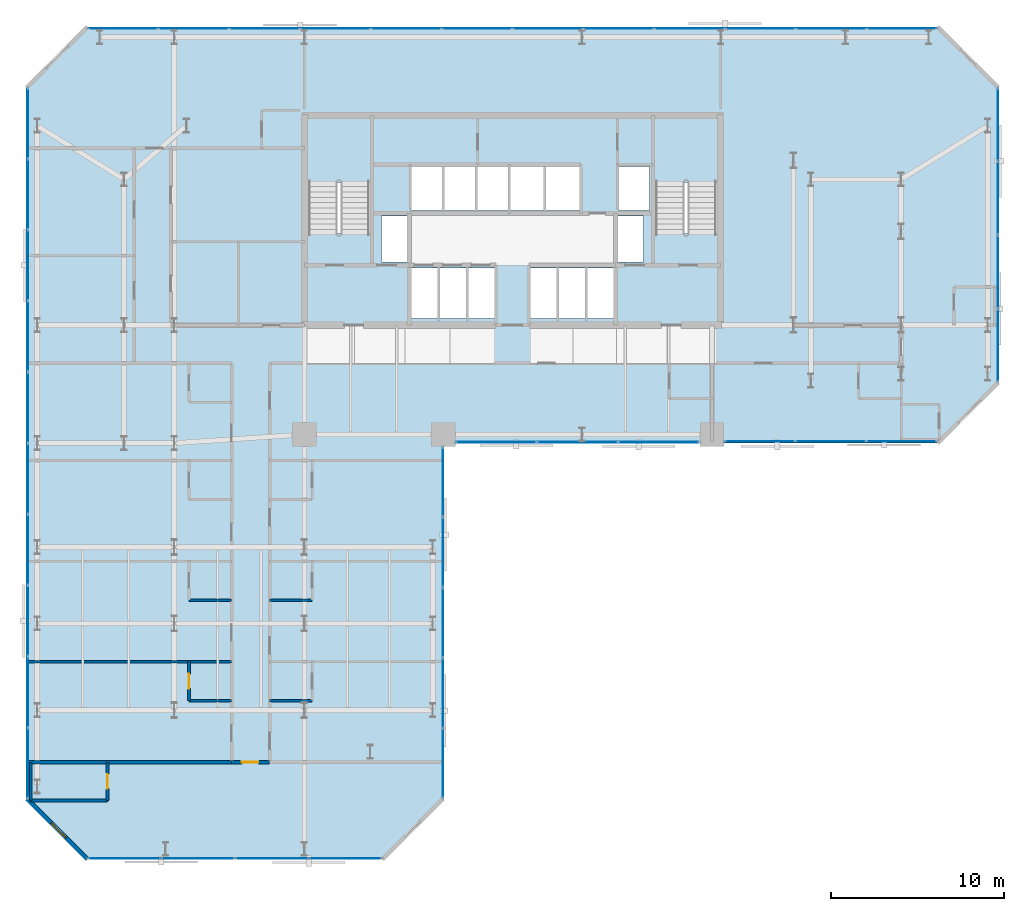
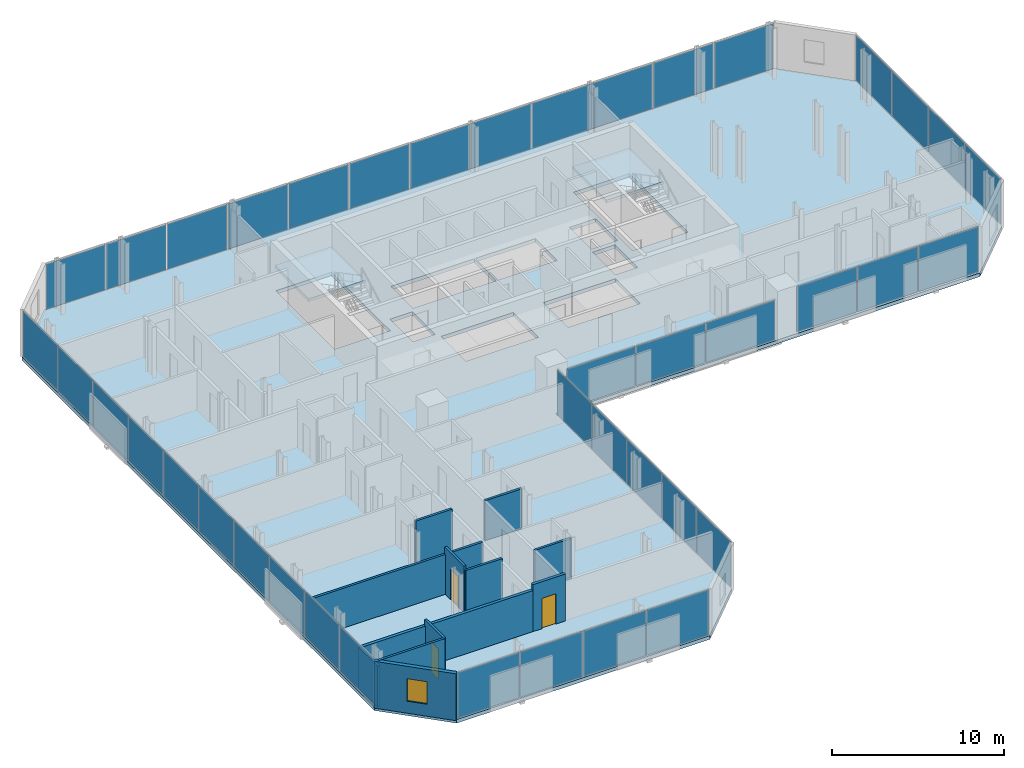
# One storey, part 27 of 32: 41 plates, 12 walls, 3 doors, 3 slabs, 1 window, 4 openings, 9 elements without a shape of their own.
"""IFC4 building model written with IfcOpenShell, lengths in metres."""

from ifc_helpers import new_model, si_unit, direction, frame, frame_2d, origin, origin_2d, place, context, subcontext, project, spatial, polyline, rectangle, outline, extrude, material, layer, layer_set, type_object, element, fill, aggregate, save


model = new_model("IFC4")

# Units and contexts
model_context = context("Model", 3, precision=1e-05, world=origin(), true_north=direction((0.0, 1.0)))
body_context = subcontext(model_context, "Body", "Model", "MODEL_VIEW")
ifc_project = project(units=[si_unit("LENGTHUNIT", "METRE"), si_unit("AREAUNIT", "SQUARE_METRE"), si_unit("VOLUMEUNIT", "CUBIC_METRE"), si_unit("PLANEANGLEUNIT", "RADIAN"), si_unit("MASSUNIT", "GRAM", prefix="KILO")], contexts=[model_context])

# Site, building, storey
site_placement = place(None, origin())
site = spatial("IfcSite", under=ifc_project, at=site_placement, CompositionType="ELEMENT")
building_placement = place(site_placement, origin())
building = spatial("IfcBuilding", under=site, at=building_placement, Name="Catumbela Crestline Tower", CompositionType="ELEMENT")
storey_placement = place(building_placement, frame((0.0, 0.0, 69.0)))
storey = spatial("IfcBuildingStorey", under=building, at=storey_placement, Name="L17", CompositionType="ELEMENT", Elevation=69.0)

# Curtain wall, plates
ifc_material_1 = material(Name="Aluminium alloy AW-6060-T66", Category="aluminium")
ifc_layer_1 = layer(ifc_material_1, 0.18, Name="Aluminium alloy AW-6060-T66")
ifc_layer_set_1 = layer_set([ifc_layer_1], Name="Aluminium alloy AW-6060-T66")
curtain_wall_type = type_object("IfcCurtainWallType", Name="CWU-Z1", PredefinedType="USERDEFINED", material=ifc_layer_set_1)
curtain_wall_1_placement = place(storey_placement, origin())
curtain_wall_1 = element("IfcCurtainWall", 1, at=curtain_wall_1_placement, inside=storey, type_object=curtain_wall_type, Name="L17 Unitised Curtain Wall CW-L17-E0S1", ObjectType="UNITISED", PredefinedType="USERDEFINED")
ifc_material_2 = material(Name="Low-E laminated solar-control double glazing", Category="glass")
ifc_layer_2 = layer(ifc_material_2, 0.034, Name="Low-E laminated solar-control double glazing")
ifc_layer_set_2 = layer_set([ifc_layer_2], Name="Low-E laminated solar-control double glazing")
plate_type = type_object("IfcPlateType", Name="PNL-GLZ-Z1", PredefinedType="CURTAIN_PANEL", material=ifc_layer_set_2)
plate_1_placement = place(storey_placement, frame((5.6412, 0.05, 0.06), z_axis=(0.0, 0.0, 1.0), x_axis=(1.0, 0.0, 0.0)))
plate_1 = element("IfcPlate", 2, at=plate_1_placement, type_object=plate_type, Name="CWU-Z1 panel 1.1", PredefinedType="CURTAIN_PANEL", context=body_context, shape_type="SweptSolid", body=[
    extrude(rectangle(XDim=4.1525, YDim=0.034, at=origin_2d()), origin(), (0.0, 0.0, 1.0), 3.21),
])
plate_2_placement = place(storey_placement, frame((9.875, 0.05, 0.06), z_axis=(0.0, 0.0, 1.0), x_axis=(1.0, 0.0, 0.0)))
plate_2 = element("IfcPlate", 3, at=plate_2_placement, type_object=plate_type, Name="CWU-Z1 panel 2.1", PredefinedType="CURTAIN_PANEL", context=body_context, shape_type="SweptSolid", body=[
    extrude(rectangle(XDim=4.185, YDim=0.034, at=origin_2d()), origin(), (0.0, 0.0, 1.0), 3.21),
])
plate_3_placement = place(storey_placement, frame((14.125, 0.05, 0.06), z_axis=(0.0, 0.0, 1.0), x_axis=(1.0, 0.0, 0.0)))
plate_3 = element("IfcPlate", 4, at=plate_3_placement, type_object=plate_type, Name="CWU-Z1 panel 3.1", PredefinedType="CURTAIN_PANEL", context=body_context, shape_type="SweptSolid", body=[
    extrude(rectangle(XDim=4.185, YDim=0.034, at=origin_2d()), origin(), (0.0, 0.0, 1.0), 3.21),
])
plate_4_placement = place(storey_placement, frame((18.3588, 0.05, 0.06), z_axis=(0.0, 0.0, 1.0), x_axis=(1.0, 0.0, 0.0)))
plate_4 = element("IfcPlate", 5, at=plate_4_placement, type_object=plate_type, Name="CWU-Z1 panel 4.1", PredefinedType="CURTAIN_PANEL", context=body_context, shape_type="SweptSolid", body=[
    extrude(rectangle(XDim=4.1525, YDim=0.034, at=origin_2d()), origin(), (0.0, 0.0, 1.0), 3.21),
])
aggregate(curtain_wall_1, [plate_1, plate_2, plate_3, plate_4])

curtain_wall_2_placement = place(storey_placement, origin())
curtain_wall_2 = element("IfcCurtainWall", 6, at=curtain_wall_2_placement, inside=storey, type_object=curtain_wall_type, Name="L17 Unitised Curtain Wall CW-L17-E2S1", ObjectType="UNITISED", PredefinedType="USERDEFINED")
plate_5_placement = place(storey_placement, frame((24.0, 5.5462, 0.06), z_axis=(0.0, 0.0, 1.0), x_axis=(0.0, 1.0, 0.0)))
plate_5 = element("IfcPlate", 7, at=plate_5_placement, type_object=plate_type, Name="CWU-Z1 panel 1.1", PredefinedType="CURTAIN_PANEL", context=body_context, shape_type="SweptSolid", body=[
    extrude(rectangle(XDim=3.9625, YDim=0.034, at=origin_2d()), origin(), (0.0, 0.0, 1.0), 3.21),
])
plate_6_placement = place(storey_placement, frame((24.0, 9.59, 0.06), z_axis=(0.0, 0.0, 1.0), x_axis=(0.0, 1.0, 0.0)))
plate_6 = element("IfcPlate", 8, at=plate_6_placement, type_object=plate_type, Name="CWU-Z1 panel 2.1", PredefinedType="CURTAIN_PANEL", context=body_context, shape_type="SweptSolid", body=[
    extrude(rectangle(XDim=3.995, YDim=0.034, at=origin_2d()), origin(), (0.0, 0.0, 1.0), 3.21),
])
plate_7_placement = place(storey_placement, frame((24.0, 13.65, 0.06), z_axis=(0.0, 0.0, 1.0), x_axis=(0.0, 1.0, 0.0)))
plate_7 = element("IfcPlate", 9, at=plate_7_placement, type_object=plate_type, Name="CWU-Z1 panel 3.1", PredefinedType="CURTAIN_PANEL", context=body_context, shape_type="SweptSolid", body=[
    extrude(rectangle(XDim=3.995, YDim=0.034, at=origin_2d()), origin(), (0.0, 0.0, 1.0), 3.21),
])
plate_8_placement = place(storey_placement, frame((24.0, 17.71, 0.06), z_axis=(0.0, 0.0, 1.0), x_axis=(0.0, 1.0, 0.0)))
plate_8 = element("IfcPlate", 10, at=plate_8_placement, type_object=plate_type, Name="CWU-Z1 panel 4.1", PredefinedType="CURTAIN_PANEL", context=body_context, shape_type="SweptSolid", body=[
    extrude(rectangle(XDim=3.995, YDim=0.034, at=origin_2d()), origin(), (0.0, 0.0, 1.0), 3.21),
])
plate_9_placement = place(storey_placement, frame((24.0, 21.7538, 0.06), z_axis=(0.0, 0.0, 1.0), x_axis=(0.0, 1.0, 0.0)))
plate_9 = element("IfcPlate", 11, at=plate_9_placement, type_object=plate_type, Name="CWU-Z1 panel 5.1", PredefinedType="CURTAIN_PANEL", context=body_context, shape_type="SweptSolid", body=[
    extrude(rectangle(XDim=3.9625, YDim=0.034, at=origin_2d()), origin(), (0.0, 0.0, 1.0), 3.21),
])
aggregate(curtain_wall_2, [plate_5, plate_6, plate_7, plate_8, plate_9])

curtain_wall_3_placement = place(storey_placement, origin())
curtain_wall_3 = element("IfcCurtainWall", 12, at=curtain_wall_3_placement, inside=storey, type_object=curtain_wall_type, Name="L17 Unitised Curtain Wall CW-L17-E3S1", ObjectType="UNITISED", PredefinedType="USERDEFINED")
plate_10_placement = place(storey_placement, frame((27.0662, 24.05, 0.06), z_axis=(0.0, 0.0, 1.0), x_axis=(1.0, 0.0, 0.0)))
plate_10 = element("IfcPlate", 13, at=plate_10_placement, type_object=plate_type, Name="CWU-Z1 panel 1.1", PredefinedType="CURTAIN_PANEL", context=body_context, shape_type="SweptSolid", body=[
    extrude(rectangle(XDim=4.6025, YDim=0.034, at=origin_2d()), origin(), (0.0, 0.0, 1.0), 2.8),
])
plate_11_placement = place(storey_placement, frame((31.75, 24.05, 0.06), z_axis=(0.0, 0.0, 1.0), x_axis=(1.0, 0.0, 0.0)))
plate_11 = element("IfcPlate", 14, at=plate_11_placement, type_object=plate_type, Name="CWU-Z1 panel 2.1", PredefinedType="CURTAIN_PANEL", context=body_context, shape_type="SweptSolid", body=[
    extrude(rectangle(XDim=4.635, YDim=0.034, at=origin_2d()), origin(), (0.0, 0.0, 1.0), 2.8),
])
plate_12_placement = place(storey_placement, frame((36.4338, 24.05, 0.06), z_axis=(0.0, 0.0, 1.0), x_axis=(1.0, 0.0, 0.0)))
plate_12 = element("IfcPlate", 15, at=plate_12_placement, type_object=plate_type, Name="CWU-Z1 panel 3.1", PredefinedType="CURTAIN_PANEL", context=body_context, shape_type="SweptSolid", body=[
    extrude(rectangle(XDim=4.6025, YDim=0.034, at=origin_2d()), origin(), (0.0, 0.0, 1.0), 2.8),
])
aggregate(curtain_wall_3, [plate_10, plate_11, plate_12])

curtain_wall_4_placement = place(storey_placement, origin())
curtain_wall_4 = element("IfcCurtainWall", 16, at=curtain_wall_4_placement, inside=storey, type_object=curtain_wall_type, Name="L17 Unitised Curtain Wall CW-L17-E3S2", ObjectType="UNITISED", PredefinedType="USERDEFINED")
plate_13_placement = place(storey_placement, frame((42.2662, 24.1, 0.06), z_axis=(0.0, 0.0, 1.0), x_axis=(1.0, 0.0, 0.0)))
plate_13 = element("IfcPlate", 17, at=plate_13_placement, type_object=plate_type, Name="CWU-Z1 panel 1.1", PredefinedType="CURTAIN_PANEL", context=body_context, shape_type="SweptSolid", body=[
    extrude(rectangle(XDim=4.0025, YDim=0.034, at=origin_2d()), origin(), (0.0, 0.0, 1.0), 3.21),
])
plate_14_placement = place(storey_placement, frame((46.35, 24.1, 0.06), z_axis=(0.0, 0.0, 1.0), x_axis=(1.0, 0.0, 0.0)))
plate_14 = element("IfcPlate", 18, at=plate_14_placement, type_object=plate_type, Name="CWU-Z1 panel 2.1", PredefinedType="CURTAIN_PANEL", context=body_context, shape_type="SweptSolid", body=[
    extrude(rectangle(XDim=4.035, YDim=0.034, at=origin_2d()), origin(), (0.0, 0.0, 1.0), 3.21),
])
plate_15_placement = place(storey_placement, frame((50.4338, 24.1, 0.06), z_axis=(0.0, 0.0, 1.0), x_axis=(1.0, 0.0, 0.0)))
plate_15 = element("IfcPlate", 19, at=plate_15_placement, type_object=plate_type, Name="CWU-Z1 panel 3.1", PredefinedType="CURTAIN_PANEL", context=body_context, shape_type="SweptSolid", body=[
    extrude(rectangle(XDim=4.0025, YDim=0.034, at=origin_2d()), origin(), (0.0, 0.0, 1.0), 3.21),
])
aggregate(curtain_wall_4, [plate_13, plate_14, plate_15])

curtain_wall_5_placement = place(storey_placement, origin())
curtain_wall_5 = element("IfcCurtainWall", 20, at=curtain_wall_5_placement, inside=storey, type_object=curtain_wall_type, Name="L17 Unitised Curtain Wall CW-L17-E5S1", ObjectType="UNITISED", PredefinedType="USERDEFINED")
plate_16_placement = place(storey_placement, frame((56.0, 29.6412, 0.06), z_axis=(0.0, 0.0, 1.0), x_axis=(0.0, 1.0, 0.0)))
plate_16 = element("IfcPlate", 21, at=plate_16_placement, type_object=plate_type, Name="CWU-Z1 panel 1.1", PredefinedType="CURTAIN_PANEL", context=body_context, shape_type="SweptSolid", body=[
    extrude(rectangle(XDim=4.1525, YDim=0.034, at=origin_2d()), origin(), (0.0, 0.0, 1.0), 3.21),
])
plate_17_placement = place(storey_placement, frame((56.0, 33.875, 0.06), z_axis=(0.0, 0.0, 1.0), x_axis=(0.0, 1.0, 0.0)))
plate_17 = element("IfcPlate", 22, at=plate_17_placement, type_object=plate_type, Name="CWU-Z1 panel 2.1", PredefinedType="CURTAIN_PANEL", context=body_context, shape_type="SweptSolid", body=[
    extrude(rectangle(XDim=4.185, YDim=0.034, at=origin_2d()), origin(), (0.0, 0.0, 1.0), 3.21),
])
plate_18_placement = place(storey_placement, frame((56.0, 38.125, 0.06), z_axis=(0.0, 0.0, 1.0), x_axis=(0.0, 1.0, 0.0)))
plate_18 = element("IfcPlate", 23, at=plate_18_placement, type_object=plate_type, Name="CWU-Z1 panel 3.1", PredefinedType="CURTAIN_PANEL", context=body_context, shape_type="SweptSolid", body=[
    extrude(rectangle(XDim=4.185, YDim=0.034, at=origin_2d()), origin(), (0.0, 0.0, 1.0), 3.21),
])
plate_19_placement = place(storey_placement, frame((56.0, 42.3588, 0.06), z_axis=(0.0, 0.0, 1.0), x_axis=(0.0, 1.0, 0.0)))
plate_19 = element("IfcPlate", 24, at=plate_19_placement, type_object=plate_type, Name="CWU-Z1 panel 4.1", PredefinedType="CURTAIN_PANEL", context=body_context, shape_type="SweptSolid", body=[
    extrude(rectangle(XDim=4.1525, YDim=0.034, at=origin_2d()), origin(), (0.0, 0.0, 1.0), 3.21),
])
aggregate(curtain_wall_5, [plate_16, plate_17, plate_18, plate_19])

curtain_wall_6_placement = place(storey_placement, origin())
curtain_wall_6 = element("IfcCurtainWall", 25, at=curtain_wall_6_placement, inside=storey, type_object=curtain_wall_type, Name="L17 Unitised Curtain Wall CW-L17-E7S1", ObjectType="UNITISED", PredefinedType="USERDEFINED")
plate_20_placement = place(storey_placement, frame((50.4421, 47.9, 0.06), z_axis=(0.0, 0.0, 1.0), x_axis=(-1.0, 0.0, 0.0)))
plate_20 = element("IfcPlate", 26, at=plate_20_placement, type_object=plate_type, Name="CWU-Z1 panel 1.1", PredefinedType="CURTAIN_PANEL", context=body_context, shape_type="SweptSolid", body=[
    extrude(rectangle(XDim=3.9858, YDim=0.034, at=origin_2d()), origin(), (0.0, 0.0, 1.0), 3.21),
])
plate_21_placement = place(storey_placement, frame((46.375, 47.9, 0.06), z_axis=(0.0, 0.0, 1.0), x_axis=(-1.0, 0.0, 0.0)))
plate_21 = element("IfcPlate", 27, at=plate_21_placement, type_object=plate_type, Name="CWU-Z1 panel 2.1", PredefinedType="CURTAIN_PANEL", context=body_context, shape_type="SweptSolid", body=[
    extrude(rectangle(XDim=4.0183, YDim=0.034, at=origin_2d()), origin(), (0.0, 0.0, 1.0), 3.21),
])
plate_22_placement = place(storey_placement, frame((42.2917, 47.9, 0.06), z_axis=(0.0, 0.0, 1.0), x_axis=(-1.0, 0.0, 0.0)))
plate_22 = element("IfcPlate", 28, at=plate_22_placement, type_object=plate_type, Name="CWU-Z1 panel 3.1", PredefinedType="CURTAIN_PANEL", context=body_context, shape_type="SweptSolid", body=[
    extrude(rectangle(XDim=4.0183, YDim=0.034, at=origin_2d()), origin(), (0.0, 0.0, 1.0), 3.21),
])
plate_23_placement = place(storey_placement, frame((38.2083, 47.9, 0.06), z_axis=(0.0, 0.0, 1.0), x_axis=(-1.0, 0.0, 0.0)))
plate_23 = element("IfcPlate", 29, at=plate_23_placement, type_object=plate_type, Name="CWU-Z1 panel 4.1", PredefinedType="CURTAIN_PANEL", context=body_context, shape_type="SweptSolid", body=[
    extrude(rectangle(XDim=4.0183, YDim=0.034, at=origin_2d()), origin(), (0.0, 0.0, 1.0), 3.21),
])
plate_24_placement = place(storey_placement, frame((34.125, 47.9, 0.06), z_axis=(0.0, 0.0, 1.0), x_axis=(-1.0, 0.0, 0.0)))
plate_24 = element("IfcPlate", 30, at=plate_24_placement, type_object=plate_type, Name="CWU-Z1 panel 5.1", PredefinedType="CURTAIN_PANEL", context=body_context, shape_type="SweptSolid", body=[
    extrude(rectangle(XDim=4.0183, YDim=0.034, at=origin_2d()), origin(), (0.0, 0.0, 1.0), 3.21),
])
plate_25_placement = place(storey_placement, frame((30.0417, 47.9, 0.06), z_axis=(0.0, 0.0, 1.0), x_axis=(-1.0, 0.0, 0.0)))
plate_25 = element("IfcPlate", 31, at=plate_25_placement, type_object=plate_type, Name="CWU-Z1 panel 6.1", PredefinedType="CURTAIN_PANEL", context=body_context, shape_type="SweptSolid", body=[
    extrude(rectangle(XDim=4.0183, YDim=0.034, at=origin_2d()), origin(), (0.0, 0.0, 1.0), 3.21),
])
plate_26_placement = place(storey_placement, frame((25.9583, 47.9, 0.06), z_axis=(0.0, 0.0, 1.0), x_axis=(-1.0, 0.0, 0.0)))
plate_26 = element("IfcPlate", 32, at=plate_26_placement, type_object=plate_type, Name="CWU-Z1 panel 7.1", PredefinedType="CURTAIN_PANEL", context=body_context, shape_type="SweptSolid", body=[
    extrude(rectangle(XDim=4.0183, YDim=0.034, at=origin_2d()), origin(), (0.0, 0.0, 1.0), 3.21),
])
plate_27_placement = place(storey_placement, frame((21.875, 47.9, 0.06), z_axis=(0.0, 0.0, 1.0), x_axis=(-1.0, 0.0, 0.0)))
plate_27 = element("IfcPlate", 33, at=plate_27_placement, type_object=plate_type, Name="CWU-Z1 panel 8.1", PredefinedType="CURTAIN_PANEL", context=body_context, shape_type="SweptSolid", body=[
    extrude(rectangle(XDim=4.0183, YDim=0.034, at=origin_2d()), origin(), (0.0, 0.0, 1.0), 3.21),
])
plate_28_placement = place(storey_placement, frame((17.7917, 47.9, 0.06), z_axis=(0.0, 0.0, 1.0), x_axis=(-1.0, 0.0, 0.0)))
plate_28 = element("IfcPlate", 34, at=plate_28_placement, type_object=plate_type, Name="CWU-Z1 panel 9.1", PredefinedType="CURTAIN_PANEL", context=body_context, shape_type="SweptSolid", body=[
    extrude(rectangle(XDim=4.0183, YDim=0.034, at=origin_2d()), origin(), (0.0, 0.0, 1.0), 3.21),
])
plate_29_placement = place(storey_placement, frame((13.7083, 47.9, 0.06), z_axis=(0.0, 0.0, 1.0), x_axis=(-1.0, 0.0, 0.0)))
plate_29 = element("IfcPlate", 35, at=plate_29_placement, type_object=plate_type, Name="CWU-Z1 panel 10.1", PredefinedType="CURTAIN_PANEL", context=body_context, shape_type="SweptSolid", body=[
    extrude(rectangle(XDim=4.0183, YDim=0.034, at=origin_2d()), origin(), (0.0, 0.0, 1.0), 3.21),
])
plate_30_placement = place(storey_placement, frame((9.625, 47.9, 0.06), z_axis=(0.0, 0.0, 1.0), x_axis=(-1.0, 0.0, 0.0)))
plate_30 = element("IfcPlate", 36, at=plate_30_placement, type_object=plate_type, Name="CWU-Z1 panel 11.1", PredefinedType="CURTAIN_PANEL", context=body_context, shape_type="SweptSolid", body=[
    extrude(rectangle(XDim=4.0183, YDim=0.034, at=origin_2d()), origin(), (0.0, 0.0, 1.0), 3.21),
])
plate_31_placement = place(storey_placement, frame((5.5579, 47.9, 0.06), z_axis=(0.0, 0.0, 1.0), x_axis=(-1.0, 0.0, 0.0)))
plate_31 = element("IfcPlate", 37, at=plate_31_placement, type_object=plate_type, Name="CWU-Z1 panel 12.1", PredefinedType="CURTAIN_PANEL", context=body_context, shape_type="SweptSolid", body=[
    extrude(rectangle(XDim=3.9858, YDim=0.034, at=origin_2d()), origin(), (0.0, 0.0, 1.0), 3.21),
])
aggregate(curtain_wall_6, [plate_20, plate_21, plate_22, plate_23, plate_24, plate_25, plate_26, plate_27, plate_28, plate_29, plate_30, plate_31])

curtain_wall_7_placement = place(storey_placement, origin())
curtain_wall_7 = element("IfcCurtainWall", 38, at=curtain_wall_7_placement, inside=storey, type_object=curtain_wall_type, Name="L17 Unitised Curtain Wall CW-L17-E9S1", ObjectType="UNITISED", PredefinedType="USERDEFINED")
plate_32_placement = place(storey_placement, frame((0.05, 42.4338, 0.06), z_axis=(0.0, 0.0, 1.0), x_axis=(0.0, -1.0, 0.0)))
plate_32 = element("IfcPlate", 39, at=plate_32_placement, type_object=plate_type, Name="CWU-Z1 panel 1.1", PredefinedType="CURTAIN_PANEL", context=body_context, shape_type="SweptSolid", body=[
    extrude(rectangle(XDim=4.0025, YDim=0.034, at=origin_2d()), origin(), (0.0, 0.0, 1.0), 3.21),
])
plate_33_placement = place(storey_placement, frame((0.05, 38.35, 0.06), z_axis=(0.0, 0.0, 1.0), x_axis=(0.0, -1.0, 0.0)))
plate_33 = element("IfcPlate", 40, at=plate_33_placement, type_object=plate_type, Name="CWU-Z1 panel 2.1", PredefinedType="CURTAIN_PANEL", context=body_context, shape_type="SweptSolid", body=[
    extrude(rectangle(XDim=4.035, YDim=0.034, at=origin_2d()), origin(), (0.0, 0.0, 1.0), 3.21),
])
plate_34_placement = place(storey_placement, frame((0.05, 34.25, 0.06), z_axis=(0.0, 0.0, 1.0), x_axis=(0.0, -1.0, 0.0)))
plate_34 = element("IfcPlate", 41, at=plate_34_placement, type_object=plate_type, Name="CWU-Z1 panel 3.1", PredefinedType="CURTAIN_PANEL", context=body_context, shape_type="SweptSolid", body=[
    extrude(rectangle(XDim=4.035, YDim=0.034, at=origin_2d()), origin(), (0.0, 0.0, 1.0), 3.21),
])
plate_35_placement = place(storey_placement, frame((0.05, 30.15, 0.06), z_axis=(0.0, 0.0, 1.0), x_axis=(0.0, -1.0, 0.0)))
plate_35 = element("IfcPlate", 42, at=plate_35_placement, type_object=plate_type, Name="CWU-Z1 panel 4.1", PredefinedType="CURTAIN_PANEL", context=body_context, shape_type="SweptSolid", body=[
    extrude(rectangle(XDim=4.035, YDim=0.034, at=origin_2d()), origin(), (0.0, 0.0, 1.0), 3.21),
])
plate_36_placement = place(storey_placement, frame((0.05, 26.05, 0.06), z_axis=(0.0, 0.0, 1.0), x_axis=(0.0, -1.0, 0.0)))
plate_36 = element("IfcPlate", 43, at=plate_36_placement, type_object=plate_type, Name="CWU-Z1 panel 5.1", PredefinedType="CURTAIN_PANEL", context=body_context, shape_type="SweptSolid", body=[
    extrude(rectangle(XDim=4.035, YDim=0.034, at=origin_2d()), origin(), (0.0, 0.0, 1.0), 3.21),
])
plate_37_placement = place(storey_placement, frame((0.05, 21.95, 0.06), z_axis=(0.0, 0.0, 1.0), x_axis=(0.0, -1.0, 0.0)))
plate_37 = element("IfcPlate", 44, at=plate_37_placement, type_object=plate_type, Name="CWU-Z1 panel 6.1", PredefinedType="CURTAIN_PANEL", context=body_context, shape_type="SweptSolid", body=[
    extrude(rectangle(XDim=4.035, YDim=0.034, at=origin_2d()), origin(), (0.0, 0.0, 1.0), 3.21),
])
plate_38_placement = place(storey_placement, frame((0.05, 17.85, 0.06), z_axis=(0.0, 0.0, 1.0), x_axis=(0.0, -1.0, 0.0)))
plate_38 = element("IfcPlate", 45, at=plate_38_placement, type_object=plate_type, Name="CWU-Z1 panel 7.1", PredefinedType="CURTAIN_PANEL", context=body_context, shape_type="SweptSolid", body=[
    extrude(rectangle(XDim=4.035, YDim=0.034, at=origin_2d()), origin(), (0.0, 0.0, 1.0), 3.21),
])
plate_39_placement = place(storey_placement, frame((0.05, 13.75, 0.06), z_axis=(0.0, 0.0, 1.0), x_axis=(0.0, -1.0, 0.0)))
plate_39 = element("IfcPlate", 46, at=plate_39_placement, type_object=plate_type, Name="CWU-Z1 panel 8.1", PredefinedType="CURTAIN_PANEL", context=body_context, shape_type="SweptSolid", body=[
    extrude(rectangle(XDim=4.035, YDim=0.034, at=origin_2d()), origin(), (0.0, 0.0, 1.0), 3.21),
])
plate_40_placement = place(storey_placement, frame((0.05, 9.65, 0.06), z_axis=(0.0, 0.0, 1.0), x_axis=(0.0, -1.0, 0.0)))
plate_40 = element("IfcPlate", 47, at=plate_40_placement, type_object=plate_type, Name="CWU-Z1 panel 9.1", PredefinedType="CURTAIN_PANEL", context=body_context, shape_type="SweptSolid", body=[
    extrude(rectangle(XDim=4.035, YDim=0.034, at=origin_2d()), origin(), (0.0, 0.0, 1.0), 3.21),
])
plate_41_placement = place(storey_placement, frame((0.05, 5.5662, 0.06), z_axis=(0.0, 0.0, 1.0), x_axis=(0.0, -1.0, 0.0)))
plate_41 = element("IfcPlate", 48, at=plate_41_placement, type_object=plate_type, Name="CWU-Z1 panel 10.1", PredefinedType="CURTAIN_PANEL", context=body_context, shape_type="SweptSolid", body=[
    extrude(rectangle(XDim=4.0025, YDim=0.034, at=origin_2d()), origin(), (0.0, 0.0, 1.0), 3.21),
])
aggregate(curtain_wall_7, [plate_32, plate_33, plate_34, plate_35, plate_36, plate_37, plate_38, plate_39, plate_40, plate_41])

# Stair, slab
ifc_material_3 = material(Name="Concrete C45/55", Category="concrete")
stair_type = type_object("IfcStairType", Name="ST-DLG", PredefinedType="HALF_TURN_STAIR", material=ifc_material_3)
stair_1_placement = place(storey_placement, origin())
stair_1 = element("IfcStair", 49, at=stair_1_placement, inside=storey, type_object=stair_type, Name="L17 West Core Pressurised Exit Stair ST-01", PredefinedType="HALF_TURN_STAIR")
ifc_layer_3 = layer(ifc_material_3, 0.2, Name="Concrete C45/55")
ifc_layer_set_3 = layer_set([ifc_layer_3], Name="Concrete C45/55")
slab_type_1 = type_object("IfcSlabType", Name="SL-LND", PredefinedType="LANDING", material=ifc_layer_set_3)
slab_1_placement = place(storey_placement, frame((0.0, 0.0, 1.6)))
slab_1 = element("IfcSlab", 50, at=slab_1_placement, type_object=slab_type_1, Name="ST-01 landing 1", PredefinedType="LANDING", context=body_context, shape_type="SweptSolid", body=[
    extrude(outline(polyline([(19.91, 39.02), (19.91, 42.96), (16.09, 42.96), (16.09, 39.02), (19.91, 39.02)])), origin(), (0.0, 0.0, 1.0), 0.2),
])
aggregate(stair_1, [slab_1])

stair_2_placement = place(storey_placement, origin())
stair_2 = element("IfcStair", 51, at=stair_2_placement, inside=storey, type_object=stair_type, Name="L17 East Core Pressurised Exit Stair ST-02", PredefinedType="HALF_TURN_STAIR")
slab_2_placement = place(storey_placement, frame((0.0, 0.0, 1.6)))
slab_2 = element("IfcSlab", 52, at=slab_2_placement, type_object=slab_type_1, Name="ST-02 landing 1", PredefinedType="LANDING", context=body_context, shape_type="SweptSolid", body=[
    extrude(outline(polyline([(39.91, 39.02), (39.91, 42.96), (36.09, 42.96), (36.09, 39.02), (39.91, 39.02)])), origin(), (0.0, 0.0, 1.0), 0.2),
])
aggregate(stair_2, [slab_2])

# Slab
ifc_layer_4 = layer(ifc_material_3, 0.26, Name="Concrete C45/55")
ifc_layer_set_4 = layer_set([ifc_layer_4], Name="Concrete C45/55")
slab_type_2 = type_object("IfcSlabType", Name="SL-260", PredefinedType="FLOOR", material=ifc_layer_set_4)
slab_3_placement = place(storey_placement, frame((0.0, 0.0, -0.26)))
element("IfcSlab", 53, at=slab_3_placement, inside=storey, type_object=slab_type_2, Name="L17 Structural Floor Slab", PredefinedType="FLOOR", context=body_context, shape_type="SweptSolid", body=[
    extrude(outline(polyline([(3.5, 0.0), (20.5, 0.0), (24.0, 3.5), (24.0, 24.0), (52.5, 24.0), (56.0, 27.5), (56.0, 44.5), (52.5, 48.0), (3.5, 48.0), (0.0, 44.5), (0.0, 3.5), (3.5, 0.0)]), holes=[polyline([(16.13, 36.08), (19.87, 36.08), (19.87, 42.92), (16.13, 42.92), (16.13, 36.08)]), polyline([(36.13, 36.08), (39.87, 36.08), (39.87, 42.92), (36.13, 42.92), (36.13, 36.08)]), polyline([(22.15, 31.2), (27.0, 31.2), (27.0, 34.1), (22.15, 34.1), (22.15, 31.2)]), polyline([(29.0, 31.2), (33.85, 31.2), (33.85, 34.1), (29.0, 34.1), (29.0, 31.2)]), polyline([(22.15, 37.4), (27.75, 37.4), (27.75, 39.95), (22.15, 39.95), (22.15, 37.4)]), polyline([(27.85, 37.4), (31.85, 37.4), (31.85, 39.95), (27.85, 39.95), (27.85, 37.4)]), polyline([(20.45, 34.45), (21.95, 34.45), (21.95, 37.1), (20.45, 37.1), (20.45, 34.45)]), polyline([(34.05, 34.45), (35.55, 34.45), (35.55, 37.1), (34.05, 37.1), (34.05, 34.45)]), polyline([(34.15, 37.4), (35.9, 37.4), (35.9, 39.95), (34.15, 39.95), (34.15, 37.4)])]), origin(), (0.0, 0.0, 1.0), 0.26),
])

# Wall, opening, door
ifc_material_4 = material(Name="Acoustic gypsum and mineral-wool partition")
ifc_layer_5 = layer(ifc_material_4, 0.2, Name="Acoustic gypsum and mineral-wool partition")
ifc_layer_set_5 = layer_set([ifc_layer_5], Name="Acoustic gypsum and mineral-wool partition")
wall_type_1 = type_object("IfcWallType", Name="WC-200", PredefinedType="PARTITIONING", material=ifc_layer_set_5)
wall_1_placement = place(storey_placement, frame((11.8, 5.6, 0.0), z_axis=(0.0, 0.0, 1.0), x_axis=(1.0, 0.0, 0.0)))
wall_1 = element("IfcWall", 54, at=wall_1_placement, inside=storey, type_object=wall_type_1, Name="L17 Interior Partition PW-L17-WTIP-ENT", PredefinedType="PARTITIONING", context=body_context, shape_type="SweptSolid", body=[
    extrude(rectangle(XDim=2.2, YDim=0.2, at=frame_2d((1.1, 0.0))), origin(), (0.0, 0.0, 1.0), 3.33),
])
opening_1_placement = place(wall_1_placement, frame((0.5925, 0.0, 0.0)))
opening_1 = element("IfcOpeningElement", 55, at=opening_1_placement, cuts=wall_1, Name="Opening DF6-095", PredefinedType="OPENING", context=body_context, shape_type="SweptSolid", body=[
    extrude(rectangle(XDim=0.95, YDim=2.15, at=frame_2d((0.475, 1.075))), frame((0.0, 0.11, 0.0), z_axis=(0.0, -1.0, 0.0), x_axis=(1.0, 0.0, 0.0)), (0.0, 0.0, 1.0), 0.22),
])
door_type_1 = type_object("IfcDoorType", Name="DF6-095", OperationType="NOTDEFINED", PredefinedType="DOOR", material=ifc_material_1)
door_1_placement = place(opening_1_placement, origin())
door_1 = element("IfcDoor", 56, at=door_1_placement, inside=storey, type_object=door_type_1, Name="L17 Interior Door DR-L17-WTIP-ENT", OperationType="SINGLE_SWING_LEFT", OverallHeight=2.15, OverallWidth=0.95, PredefinedType="DOOR", context=body_context, shape_type="SweptSolid", body=[
    extrude(rectangle(XDim=0.95, YDim=2.15, at=frame_2d((0.475, 1.075))), frame((0.0, 0.025, 0.0), z_axis=(0.0, -1.0, 0.0), x_axis=(1.0, 0.0, 0.0)), (0.0, 0.0, 1.0), 0.05),
])
fill(opening_1, door_1)

# Wall, opening, window
ifc_material_5 = material(Name="Angolan grey-ochre granite", Category="masonry")
ifc_layer_6 = layer(ifc_material_5, 0.25, Name="Angolan grey-ochre granite")
ifc_layer_set_6 = layer_set([ifc_layer_6], Name="Angolan grey-ochre granite")
wall_type_2 = type_object("IfcWallType", Name="WE-250", PredefinedType="STANDARD", material=ifc_layer_set_6)
wall_2_placement = place(storey_placement, frame((0.0, 3.5, 0.0), z_axis=(0.0, 0.0, 1.0), x_axis=(0.707106781187, -0.707106781187, 0.0)))
wall_2 = element("IfcWall", 57, at=wall_2_placement, inside=storey, type_object=wall_type_2, Name="L17 Granite Punched Window Wall 10-1", PredefinedType="STANDARD", context=body_context, shape_type="SweptSolid", body=[
    extrude(rectangle(XDim=4.9497, YDim=0.25, at=frame_2d((2.4748, 0.0))), origin(), (0.0, 0.0, 1.0), 3.33),
])
opening_2_placement = place(wall_2_placement, frame((1.9851, 0.0, 0.85)))
opening_2 = element("IfcOpeningElement", 58, at=opening_2_placement, cuts=wall_2, Name="Opening WN-02", PredefinedType="OPENING", context=body_context, shape_type="SweptSolid", body=[
    extrude(rectangle(XDim=1.2, YDim=1.6, at=frame_2d((0.6, 0.8))), frame((0.0, 0.135, 0.0), z_axis=(0.0, -1.0, 0.0), x_axis=(1.0, 0.0, 0.0)), (0.0, 0.0, 1.0), 0.27),
])
window_type = type_object("IfcWindowType", Name="WO-1200", PartitioningType="SINGLE_PANEL", PredefinedType="WINDOW", material=ifc_material_2)
window_placement = place(opening_2_placement, origin())
window = element("IfcWindow", 59, at=window_placement, inside=storey, type_object=window_type, Name="L17 Facade Vision Window 112", OverallHeight=1.6, OverallWidth=1.2, PartitioningType="SINGLE_PANEL", PredefinedType="WINDOW", context=body_context, shape_type="SweptSolid", body=[
    extrude(rectangle(XDim=1.2, YDim=1.6, at=frame_2d((0.6, 0.8))), frame((0.0, 0.03, 0.0), z_axis=(0.0, -1.0, 0.0), x_axis=(1.0, 0.0, 0.0)), (0.0, 0.0, 1.0), 0.06),
])
fill(opening_2, window)

# Wall
ifc_layer_7 = layer(ifc_material_4, 0.15, Name="Acoustic gypsum and mineral-wool partition")
ifc_layer_set_7 = layer_set([ifc_layer_7], Name="Acoustic gypsum and mineral-wool partition")
wall_type_3 = type_object("IfcWallType", Name="WP-150", PredefinedType="PARTITIONING", material=ifc_layer_set_7)
wall_3_placement = place(storey_placement, frame((0.2, 3.4, 0.0), z_axis=(0.0, 0.0, 1.0), x_axis=(1.0, 0.0, 0.0)))
element("IfcWall", 60, at=wall_3_placement, inside=storey, type_object=wall_type_3, Name="L17 Interior Partition PW-L17-WTIP-BHW", PredefinedType="PARTITIONING", context=body_context, shape_type="SweptSolid", body=[
    extrude(rectangle(XDim=4.45, YDim=0.15, at=frame_2d((2.225, 0.0))), origin(), (0.0, 0.0, 1.0), 3.33),
])

# Wall, opening, door
wall_4_placement = place(storey_placement, frame((4.65, 3.4, 0.0), z_axis=(0.0, 0.0, 1.0), x_axis=(0.0, 1.0, 0.0)))
wall_4 = element("IfcWall", 61, at=wall_4_placement, inside=storey, type_object=wall_type_3, Name="L17 Interior Partition PW-L17-WTIP-BEW", PredefinedType="PARTITIONING", context=body_context, shape_type="SweptSolid", body=[
    extrude(rectangle(XDim=2.2, YDim=0.15, at=frame_2d((1.1, 0.0))), origin(), (0.0, 0.0, 1.0), 3.33),
])
opening_3_placement = place(wall_4_placement, frame((0.675, 0.0, 0.0)))
opening_3 = element("IfcOpeningElement", 62, at=opening_3_placement, cuts=wall_4, Name="Opening DI-085", PredefinedType="OPENING", context=body_context, shape_type="SweptSolid", body=[
    extrude(rectangle(XDim=0.85, YDim=2.15, at=frame_2d((0.425, 1.075))), frame((0.0, 0.085, 0.0), z_axis=(0.0, -1.0, 0.0), x_axis=(1.0, 0.0, 0.0)), (0.0, 0.0, 1.0), 0.17),
])
door_type_2 = type_object("IfcDoorType", Name="DI-085", OperationType="NOTDEFINED", PredefinedType="DOOR", material=ifc_material_1)
door_2_placement = place(opening_3_placement, origin())
door_2 = element("IfcDoor", 63, at=door_2_placement, inside=storey, type_object=door_type_2, Name="L17 Interior Door DR-L17-WTIP-BTH", OperationType="SINGLE_SWING_LEFT", OverallHeight=2.15, OverallWidth=0.85, PredefinedType="DOOR", context=body_context, shape_type="SweptSolid", body=[
    extrude(rectangle(XDim=0.85, YDim=2.15, at=frame_2d((0.425, 1.075))), frame((0.0, 0.025, 0.0), z_axis=(0.0, -1.0, 0.0), x_axis=(1.0, 0.0, 0.0)), (0.0, 0.0, 1.0), 0.05),
])
fill(opening_3, door_2)

# Walls
wall_5_placement = place(storey_placement, frame((0.22, 3.38, 0.0), z_axis=(0.0, 0.0, 1.0), x_axis=(0.0, 1.0, 0.0)))
element("IfcWall", 64, at=wall_5_placement, inside=storey, type_object=wall_type_3, Name="L17 Interior Partition PW-L17-WTIP-BCL-3", PredefinedType="PARTITIONING", context=body_context, shape_type="SweptSolid", body=[
    extrude(rectangle(XDim=2.22, YDim=0.15, at=frame_2d((1.11, 0.0))), origin(), (0.0, 0.0, 1.0), 2.92),
])
wall_6_placement = place(storey_placement, frame((9.35, 9.15, 0.0), z_axis=(0.0, 0.0, 1.0), x_axis=(1.0, 0.0, 0.0)))
element("IfcWall", 65, at=wall_6_placement, inside=storey, type_object=wall_type_3, Name="L17 Interior Partition PW-L17-WL1-BSW", PredefinedType="PARTITIONING", context=body_context, shape_type="SweptSolid", body=[
    extrude(rectangle(XDim=2.45, YDim=0.15, at=frame_2d((1.225, 0.0))), origin(), (0.0, 0.0, 1.0), 3.02),
])

# Wall, opening, door
wall_7_placement = place(storey_placement, frame((9.35, 9.15, 0.0), z_axis=(0.0, 0.0, 1.0), x_axis=(0.0, 1.0, 0.0)))
wall_7 = element("IfcWall", 66, at=wall_7_placement, inside=storey, type_object=wall_type_3, Name="L17 Interior Partition PW-L17-WL1-BWW", PredefinedType="PARTITIONING", context=body_context, shape_type="SweptSolid", body=[
    extrude(rectangle(XDim=2.25, YDim=0.15, at=frame_2d((1.125, 0.0))), origin(), (0.0, 0.0, 1.0), 3.33),
])
opening_4_placement = place(wall_7_placement, frame((0.7, 0.0, 0.0)))
opening_4 = element("IfcOpeningElement", 67, at=opening_4_placement, cuts=wall_7, Name="Opening DI-085", PredefinedType="OPENING", context=body_context, shape_type="SweptSolid", body=[
    extrude(rectangle(XDim=0.85, YDim=2.15, at=frame_2d((0.425, 1.075))), frame((0.0, 0.085, 0.0), z_axis=(0.0, -1.0, 0.0), x_axis=(1.0, 0.0, 0.0)), (0.0, 0.0, 1.0), 0.17),
])
door_3_placement = place(opening_4_placement, origin())
door_3 = element("IfcDoor", 68, at=door_3_placement, inside=storey, type_object=door_type_2, Name="L17 Interior Door DR-L17-WL1-BTH", OperationType="SINGLE_SWING_RIGHT", OverallHeight=2.15, OverallWidth=0.85, PredefinedType="DOOR", context=body_context, shape_type="SweptSolid", body=[
    extrude(rectangle(XDim=0.85, YDim=2.15, at=frame_2d((0.425, 1.075))), frame((0.0, 0.025, 0.0), z_axis=(0.0, -1.0, 0.0), x_axis=(1.0, 0.0, 0.0)), (0.0, 0.0, 1.0), 0.05),
])
fill(opening_4, door_3)

# Walls
wall_8_placement = place(storey_placement, frame((0.1, 11.4, 0.0), z_axis=(0.0, 0.0, 1.0), x_axis=(1.0, 0.0, 0.0)))
element("IfcWall", 69, at=wall_8_placement, inside=storey, type_object=wall_type_3, Name="L17 Interior Partition PW-L17-WL1-BCL-1", PredefinedType="PARTITIONING", context=body_context, shape_type="SweptSolid", body=[
    extrude(rectangle(XDim=11.7, YDim=0.15, at=frame_2d((5.85, 0.0))), origin(), (0.0, 0.0, 1.0), 2.83),
])
wall_9_placement = place(storey_placement, frame((14.0, 9.15, 0.0), z_axis=(0.0, 0.0, 1.0), x_axis=(1.0, 0.0, 0.0)))
element("IfcWall", 70, at=wall_9_placement, inside=storey, type_object=wall_type_3, Name="L17 Interior Partition PW-L17-WR1-BSW", PredefinedType="PARTITIONING", context=body_context, shape_type="SweptSolid", body=[
    extrude(rectangle(XDim=2.45, YDim=0.15, at=frame_2d((1.225, 0.0))), origin(), (0.0, 0.0, 1.0), 2.83),
])
wall_10_placement = place(storey_placement, frame((9.35, 14.95, 0.0), z_axis=(0.0, 0.0, 1.0), x_axis=(1.0, 0.0, 0.0)))
element("IfcWall", 71, at=wall_10_placement, inside=storey, type_object=wall_type_3, Name="L17 Interior Partition PW-L17-WL2-BSW", PredefinedType="PARTITIONING", context=body_context, shape_type="SweptSolid", body=[
    extrude(rectangle(XDim=2.45, YDim=0.15, at=frame_2d((1.225, 0.0))), origin(), (0.0, 0.0, 1.0), 3.02),
])
wall_11_placement = place(storey_placement, frame((14.0, 14.95, 0.0), z_axis=(0.0, 0.0, 1.0), x_axis=(1.0, 0.0, 0.0)))
element("IfcWall", 72, at=wall_11_placement, inside=storey, type_object=wall_type_3, Name="L17 Interior Partition PW-L17-WR2-BSW", PredefinedType="PARTITIONING", context=body_context, shape_type="SweptSolid", body=[
    extrude(rectangle(XDim=2.45, YDim=0.15, at=frame_2d((1.225, 0.0))), origin(), (0.0, 0.0, 1.0), 2.83),
])
ifc_layer_8 = layer(ifc_material_4, 0.2, Name="Acoustic gypsum and mineral-wool partition")
ifc_layer_set_8 = layer_set([ifc_layer_8], Name="Acoustic gypsum and mineral-wool partition")
wall_type_4 = type_object("IfcWallType", Name="WY-200", PredefinedType="PARTITIONING", material=ifc_layer_set_8)
wall_12_placement = place(storey_placement, frame((0.1, 5.6, 0.0), z_axis=(0.0, 0.0, 1.0), x_axis=(1.0, 0.0, 0.0)))
element("IfcWall", 73, at=wall_12_placement, inside=storey, type_object=wall_type_4, Name="L17 Interior Partition PW-L17-WTIP-WL", PredefinedType="PARTITIONING", context=body_context, shape_type="SweptSolid", body=[
    extrude(rectangle(XDim=11.7, YDim=0.2, at=frame_2d((5.85, 0.0))), origin(), (0.0, 0.0, 1.0), 2.92),
])

save(model, "model.ifc")
